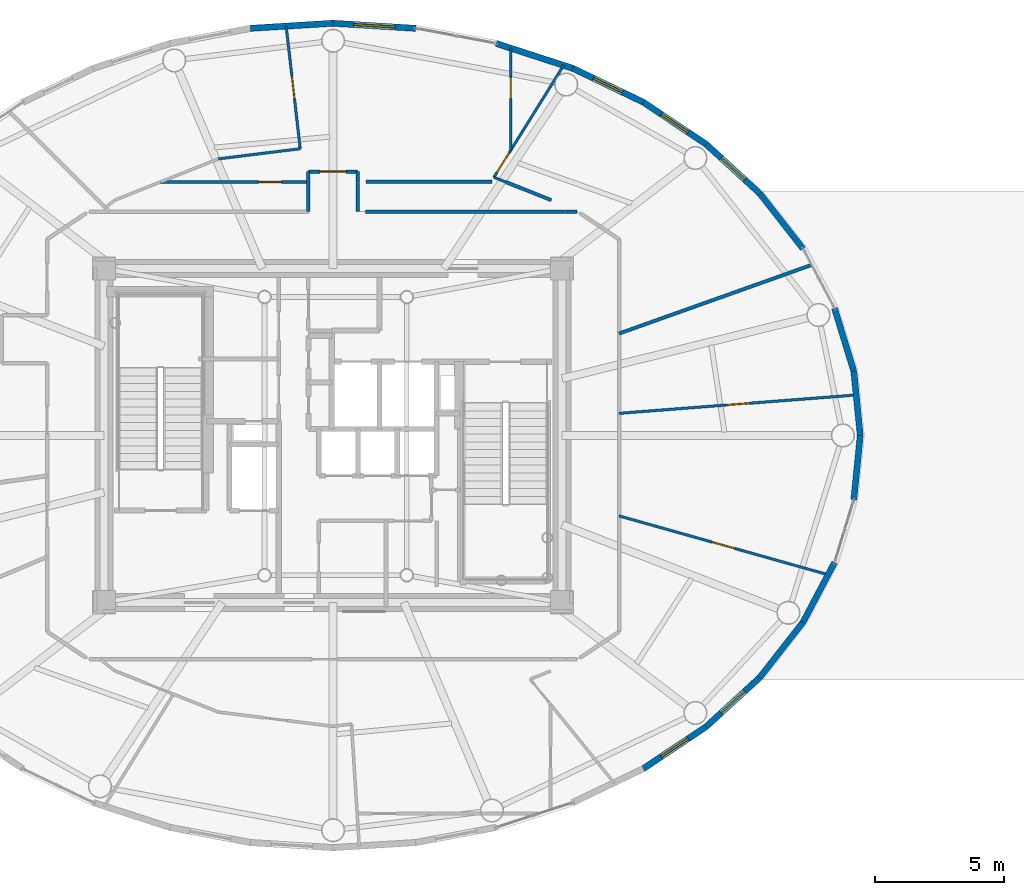
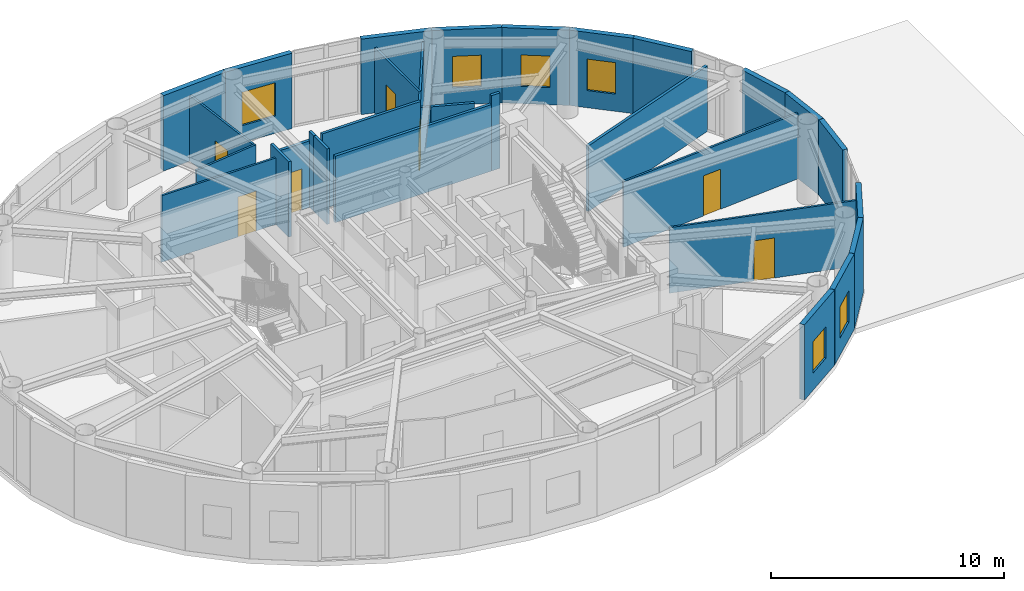
# One storey, part 17 of 24: 31 walls, 7 doors, 6 windows, 13 openings.
"""IFC4 building model written with IfcOpenShell, lengths in metres."""

import ifcopenshell
import ifcopenshell.guid

model = None  # the IFC model being written
_history = None  # IfcOwnerHistory: only IFC2X3 demands one
_inside = {}  # id of a spatial element -> (the spatial element, [elements in it])
_under = {}  # id of a project, library or spatial element -> (it, [spatial elements below it])
_declared = {}  # id of a project -> (the project, [libraries it declares])
_typed = {}  # id of a type object -> (the type object, [elements of that type])
_made_of = {}  # id of a material, layer set ... -> (it, [elements and type objects made of it])


def new_model(schema):
    """Start an empty IFC model of exactly this schema.

    Asked for "IFC4X3", IfcOpenShell would pick the latest addendum, in which some entities
    have other attributes; the version numbers below select the first issue.
    IFC2X3 requires an IfcOwnerHistory on every rooted entity: one is made here for all.
    """
    global model, _history
    if schema == "IFC4X3":
        model = ifcopenshell.file(schema_version=(4, 3, 0, 0))
    else:
        model = ifcopenshell.file(schema=schema)
    _inside.clear()
    _under.clear()
    _declared.clear()
    _typed.clear()
    _made_of.clear()
    _history = None
    if model.schema == "IFC2X3":
        org = make("IfcOrganization", Name="unknown")
        user = make(
            "IfcPersonAndOrganization",
            ThePerson=make("IfcPerson", FamilyName="unknown"),
            TheOrganization=org,
        )
        app = make(
            "IfcApplication",
            ApplicationDeveloper=org,
            Version="unknown",
            ApplicationFullName="unknown",
            ApplicationIdentifier="unknown",
        )
        _history = make(
            "IfcOwnerHistory",
            OwningUser=user,
            OwningApplication=app,
            ChangeAction="ADDED",
            CreationDate=0,
        )
    return model


def make(cls, **values):
    """One entity of the class cls with the attributes given. An attribute that is None is left unset."""
    return model.create_entity(
        cls, **{name: value for name, value in values.items() if value is not None}
    )


def rooted(cls, **values):
    """An entity with a GlobalId (a new one), such as an element, a storey or a relation."""
    return make(cls, GlobalId=ifcopenshell.guid.new(), OwnerHistory=_history, **values)


def si_unit(unit_type, name, prefix=None):
    """IfcSIUnit, for example si_unit("LENGTHUNIT", "METRE", prefix="MILLI")."""
    return make("IfcSIUnit", UnitType=unit_type, Prefix=prefix, Name=name)


def assignment(units):
    """IfcUnitAssignment: the units of a project."""
    return None if units is None else make("IfcUnitAssignment", Units=units)


def point(xyz):
    """IfcCartesianPoint."""
    return None if xyz is None else make("IfcCartesianPoint", Coordinates=xyz)


def direction(xyz):
    """IfcDirection."""
    return None if xyz is None else make("IfcDirection", DirectionRatios=xyz)


def frame(location, z_axis=None, x_axis=None):
    """IfcAxis2Placement3D, a coordinate frame: its origin and axes. An axis left out is left unset."""
    return make(
        "IfcAxis2Placement3D",
        Location=point(location),
        Axis=direction(z_axis),
        RefDirection=direction(x_axis),
    )


def frame_2d(location, x_axis=None):
    """IfcAxis2Placement2D, a coordinate frame in the plane: its origin and x axis."""
    return make(
        "IfcAxis2Placement2D", Location=point(location), RefDirection=direction(x_axis)
    )


def origin():
    """The frame at (0, 0, 0) with its axes left unset."""
    return frame((0.0, 0.0, 0.0))


def origin_2d():
    """The frame at (0, 0) in the plane with its x axis left unset."""
    return frame_2d((0.0, 0.0))


def place(relative_to, where):
    """IfcLocalPlacement: puts the frame where relative to a parent placement (None: the world)."""
    return make(
        "IfcLocalPlacement", PlacementRelTo=relative_to, RelativePlacement=where
    )


def context(
    kind, dimensions, precision=None, world=None, true_north=None, identifier=None
):
    """IfcGeometricRepresentationContext, for example the 3D "Model" context."""
    return make(
        "IfcGeometricRepresentationContext",
        ContextIdentifier=identifier,
        ContextType=kind,
        CoordinateSpaceDimension=dimensions,
        Precision=precision,
        WorldCoordinateSystem=world,
        TrueNorth=true_north,
    )


def subcontext(parent, identifier, kind, view, scale=None):
    """IfcGeometricRepresentationSubContext, for example "Body" below "Model"."""
    return make(
        "IfcGeometricRepresentationSubContext",
        ContextIdentifier=identifier,
        ContextType=kind,
        ParentContext=parent,
        TargetScale=scale,
        TargetView=view,
    )


def project(units=None, contexts=None):
    """IfcProject with its units and contexts."""
    return rooted(
        "IfcProject",
        Name="project",
        RepresentationContexts=contexts,
        UnitsInContext=assignment(units),
    )


def spatial(cls, under=None, at=None, **own):
    """A site, building, storey or space (cls), placed at a placement, below another one or the project."""
    s = rooted(cls, ObjectPlacement=at, **own)
    if under is not None:
        _under.setdefault(under.id(), (under, []))[1].append(s)
    return s


def profile(cls, at=None, kind="AREA", **sizes):
    """A parametric profile (cls). Its sizes go by their IFC names, for example OverallWidth=200.0."""
    return make(cls, ProfileType=kind, Position=at, **sizes)


def rectangle(**sizes):
    """IfcRectangleProfileDef."""
    return profile("IfcRectangleProfileDef", **sizes)


def extrude(swept, where, along, depth):
    """IfcExtrudedAreaSolid: the profile swept, set in the frame where, extruded along a direction by depth."""
    return make(
        "IfcExtrudedAreaSolid",
        SweptArea=swept,
        Position=where,
        ExtrudedDirection=direction(along),
        Depth=depth,
    )


def shape(context_of_items, identifier, shape_type, items):
    """IfcShapeRepresentation: the items that make up one representation, for example the "Body"."""
    return make(
        "IfcShapeRepresentation",
        ContextOfItems=context_of_items,
        RepresentationIdentifier=identifier,
        RepresentationType=shape_type,
        Items=items,
    )


def source(mapping_origin, context_of_items, identifier, shape_type, items):
    """IfcRepresentationMap: a shape defined once, which mapped items show again and again."""
    return make(
        "IfcRepresentationMap",
        MappingOrigin=mapping_origin,
        MappedRepresentation=shape(context_of_items, identifier, shape_type, items),
    )


def transform(
    local_origin,
    x_axis=None,
    y_axis=None,
    z_axis=None,
    scale=None,
    scale2=None,
    scale3=None,
    uniform=True,
):
    """IfcCartesianTransformationOperator3D, or its non-uniform kind. x_axis, y_axis, z_axis: its Axis1, 2, 3."""
    if uniform:
        return make(
            "IfcCartesianTransformationOperator3D",
            Axis1=direction(x_axis),
            Axis2=direction(y_axis),
            LocalOrigin=point(local_origin),
            Scale=scale,
            Axis3=direction(z_axis),
        )
    return make(
        "IfcCartesianTransformationOperator3DnonUniform",
        Axis1=direction(x_axis),
        Axis2=direction(y_axis),
        LocalOrigin=point(local_origin),
        Scale=scale,
        Axis3=direction(z_axis),
        Scale2=scale2,
        Scale3=scale3,
    )


def mapped(mapping_source, mapping_target):
    """IfcMappedItem: shows the shape of a source again, moved by a transform."""
    return make(
        "IfcMappedItem", MappingSource=mapping_source, MappingTarget=mapping_target
    )


def material(Name=None, Category=None):
    """IfcMaterial."""
    return make("IfcMaterial", Name=Name, Category=Category)


def layer(
    of_material, thickness, ventilated=None, Name=None, Category=None, Priority=None
):
    """IfcMaterialLayer: one layer of a wall or slab, of a material (None: an air gap)."""
    return make(
        "IfcMaterialLayer",
        Material=of_material,
        LayerThickness=thickness,
        IsVentilated=ventilated,
        Name=Name,
        Category=Category,
        Priority=Priority,
    )


def layer_set(layers, Name=None):
    """IfcMaterialLayerSet."""
    return make("IfcMaterialLayerSet", MaterialLayers=layers, LayerSetName=Name)


def made_of(thing, what):
    """Note that an element or type object is made of a material, layer set ...; save() writes the relation."""
    if what is not None:
        _made_of.setdefault(what.id(), (what, []))[1].append(thing)
    return thing


def type_object(cls, material=None, **own):
    """A type object (cls), such as IfcWallType, which elements share."""
    return made_of(rooted(cls, **own), material)


def element(
    cls,
    number,
    at=None,
    inside=None,
    cuts=None,
    type_object=None,
    material=None,
    context=None,
    identifier="Body",
    shape_type=None,
    held_by="IfcProductDefinitionShape",
    body=None,
    shapes=None,
    **own,
):
    """One element of the class cls, such as IfcWall. Its Tag is "e" and its number.

    at: its placement. inside: the storey or other place that contains it. cuts: it is an
    opening in that element (IfcRelVoidsElement). A single representation is given by context,
    identifier, shape_type and body (its items); several are given by shapes. held_by: the class
    of the entity that holds the representations. save() writes the other relations.
    """
    e = rooted(cls, Tag="e%d" % number, ObjectPlacement=at, **own)
    if body is not None:
        shapes = [shape(context, identifier, shape_type, body)]
    if shapes is not None:
        e.Representation = make(held_by, Representations=shapes)
    if inside is not None:
        _inside.setdefault(inside.id(), (inside, []))[1].append(e)
    if cuts is not None:
        rooted(
            "IfcRelVoidsElement", RelatingBuildingElement=cuts, RelatedOpeningElement=e
        )
    if type_object is not None:
        _typed.setdefault(type_object.id(), (type_object, []))[1].append(e)
    return made_of(e, material)


def fill(opening, filler):
    """IfcRelFillsElement: the door or window that sits in an opening."""
    return rooted(
        "IfcRelFillsElement",
        RelatingOpeningElement=opening,
        RelatedBuildingElement=filler,
    )


def aggregate(whole, parts):
    """IfcRelAggregates: a whole, such as a stair, and the parts it consists of."""
    return rooted("IfcRelAggregates", RelatingObject=whole, RelatedObjects=parts)


def save(model, path):
    """Write the relations noted so far, then the file.

    IfcRelAggregates (storeys below a building ...), IfcRelContainedInSpatialStructure (elements
    in a storey), IfcRelDefinesByType, IfcRelAssociatesMaterial and IfcRelDeclares: one each for
    every whole, place, type object, material and project.
    """
    for whole, parts in _under.values():
        aggregate(whole, parts)
    for where, things in _inside.values():
        rooted(
            "IfcRelContainedInSpatialStructure",
            RelatedElements=things,
            RelatingStructure=where,
        )
    for kind, things in _typed.values():
        rooted("IfcRelDefinesByType", RelatedObjects=things, RelatingType=kind)
    for what, things in _made_of.values():
        rooted("IfcRelAssociatesMaterial", RelatedObjects=things, RelatingMaterial=what)
    for by, libraries in _declared.values():
        rooted("IfcRelDeclares", RelatingContext=by, RelatedDefinitions=libraries)
    model.write(path)


model = new_model("IFC4")

# Units and contexts
model_context = context("Model", 3, precision=1e-05, world=origin(), true_north=direction((0.0, 1.0)))
body_context = subcontext(model_context, "Body", "Model", "MODEL_VIEW")
ifc_project = project(units=[si_unit("LENGTHUNIT", "METRE"), si_unit("AREAUNIT", "SQUARE_METRE"), si_unit("VOLUMEUNIT", "CUBIC_METRE"), si_unit("PLANEANGLEUNIT", "RADIAN"), si_unit("MASSUNIT", "GRAM", prefix="KILO")], contexts=[model_context])

# Site, building, storey
site_placement = place(None, origin())
site = spatial("IfcSite", under=ifc_project, at=site_placement, CompositionType="ELEMENT")
building_placement = place(site_placement, origin())
building = spatial("IfcBuilding", under=site, at=building_placement, Name="Linh Dai School and Residence Tower", CompositionType="ELEMENT")
storey_placement = place(building_placement, frame((0.0, 0.0, 355.199951171875)))
storey = spatial("IfcBuildingStorey", under=building, at=storey_placement, Name="L88", CompositionType="ELEMENT", Elevation=355.199951171875)

# Walls
ifc_material_1 = material(Name="Precast Concrete B45 (C35/45)", Category="concrete")
ifc_layer_1 = layer(ifc_material_1, 0.239990234375)
ifc_layer_set_1 = layer_set([ifc_layer_1], Name="Precast Concrete B45 (C35/45)")
wall_type_1 = type_object("IfcWallType", Name="EW-TC-240", PredefinedType="SOLIDWALL", material=ifc_layer_set_1)
wall_1_placement = place(storey_placement, frame((56.125, 29.48681640625, 0.0), z_axis=(0.0, 0.0, 1.0), x_axis=(0.100025963401, -0.994984827344, 0.0)))
element("IfcWall", 1, at=wall_1_placement, inside=storey, type_object=wall_type_1, Name="L88 Terracotta Exterior Wall 01", PredefinedType="SOLIDWALL", context=body_context, shape_type="SweptSolid", body=[
    extrude(rectangle(XDim=2.499267578125, YDim=0.239990234375, at=frame_2d((1.24951171875, 0.0))), origin(), (0.0, 0.0, 1.0), 3.949951171875),
])
wall_2_placement = place(storey_placement, frame((55.381103515625, 31.913330078125, 0.0), z_axis=(0.0, 0.0, 1.0), x_axis=(0.293105547213, -0.956080089842, 0.0)))
element("IfcWall", 2, at=wall_2_placement, inside=storey, type_object=wall_type_1, Name="L88 Terracotta Exterior Wall 02", PredefinedType="SOLIDWALL", context=body_context, shape_type="SweptSolid", body=[
    extrude(rectangle(XDim=2.5380859375, YDim=0.239990234375, at=frame_2d((1.26904296875, 0.0))), origin(), (0.0, 0.0, 1.0), 3.949951171875),
])
wall_3_placement = place(storey_placement, frame((52.4931640625, 36.351806640625, 0.0), z_axis=(0.0, 0.0, 1.0), x_axis=(0.616286367698, -0.78752213492, 0.0)))
element("IfcWall", 3, at=wall_3_placement, inside=storey, type_object=wall_type_1, Name="L88 Terracotta Exterior Wall 04", PredefinedType="SOLIDWALL", context=body_context, shape_type="SweptSolid", body=[
    extrude(rectangle(XDim=2.7060546875, YDim=0.239990234375, at=frame_2d((1.35302734375, 0.0))), origin(), (0.0, 0.0, 1.0), 3.949951171875),
])

# Wall, opening, window
wall_4_placement = place(storey_placement, frame((50.418701171875, 38.254150390625, 0.0), z_axis=(0.0, 0.0, 1.0), x_axis=(0.737020907932, -0.675869944051, 0.0)))
wall_4 = element("IfcWall", 4, at=wall_4_placement, inside=storey, type_object=wall_type_1, Name="L88 Terracotta Exterior Wall 05", PredefinedType="SOLIDWALL", context=body_context, shape_type="SweptSolid", body=[
    extrude(rectangle(XDim=2.814697265625, YDim=0.239990234375, at=frame_2d((1.4072265625, 0.0))), origin(), (0.0, 0.0, 1.0), 3.949951171875),
])
opening_1_placement = place(wall_4_placement, frame((0.781982421875, 0.0, 0.89990234375)))
opening_1 = element("IfcOpeningElement", 5, at=opening_1_placement, cuts=wall_4, Name="Opening W3", PredefinedType="OPENING", context=body_context, shape_type="SweptSolid", body=[
    extrude(rectangle(XDim=1.25, YDim=1.64990234375, at=origin_2d()), frame((0.625, 0.1298828125, 0.824951171875), z_axis=(0.0, -1.0, 0.0), x_axis=(1.0, 0.0, 0.0)), (0.0, 0.0, 1.0), 0.260009765625),
])
ifc_material_2 = material(Name="Double Low-E Insulated Glazing", Category="glass")
window_type_1 = type_object("IfcWindowType", Name="WN-RES-1250x1650", PartitioningType="SINGLE_PANEL", PredefinedType="WINDOW", material=ifc_material_2)
shared_shape_1 = source(origin(), body_context, "Body", "SweptSolid", [
    extrude(rectangle(XDim=1.25, YDim=1.64990234375, at=origin_2d()), frame((0.625, 0.030029296875, 0.824951171875), z_axis=(0.0, -1.0, 0.0), x_axis=(1.0, 0.0, 0.0)), (0.0, 0.0, 1.0), 0.06005859375),
])
window_1_placement = place(opening_1_placement, origin())
window_1 = element("IfcWindow", 6, at=window_1_placement, inside=storey, type_object=window_type_1, Name="L88 Exterior Window 05.1", OverallHeight=1.64990234375, OverallWidth=1.25, PartitioningType="SINGLE_PANEL", PredefinedType="WINDOW", context=body_context, shape_type="MappedRepresentation", body=[
    mapped(shared_shape_1, transform((0.0, 0.0, 0.0), x_axis=(1.0, 0.0, 0.0), y_axis=(0.0, 1.0, 0.0), z_axis=(0.0, 0.0, 1.0), scale=1.0)),
])
fill(opening_1, window_1)

wall_5_placement = place(storey_placement, frame((47.98779296875, 39.880126953125, 0.0), z_axis=(0.0, 0.0, 1.0), x_axis=(0.831201688654, -0.555970999944, 0.0)))
wall_5 = element("IfcWall", 7, at=wall_5_placement, inside=storey, type_object=wall_type_1, Name="L88 Terracotta Exterior Wall 06", PredefinedType="SOLIDWALL", context=body_context, shape_type="SweptSolid", body=[
    extrude(rectangle(XDim=2.924560546875, YDim=0.239990234375, at=frame_2d((1.46240234375, 0.0))), origin(), (0.0, 0.0, 1.0), 3.949951171875),
])
opening_2_placement = place(wall_5_placement, frame((0.837158203125, 0.0, 0.89990234375)))
opening_2 = element("IfcOpeningElement", 8, at=opening_2_placement, cuts=wall_5, Name="Opening W3", PredefinedType="OPENING", context=body_context, shape_type="SweptSolid", body=[
    extrude(rectangle(XDim=1.25, YDim=1.64990234375, at=origin_2d()), frame((0.625, 0.1298828125, 0.824951171875), z_axis=(0.0, -1.0, 0.0), x_axis=(1.0, 0.0, 0.0)), (0.0, 0.0, 1.0), 0.260009765625),
])
window_2_placement = place(opening_2_placement, origin())
window_2 = element("IfcWindow", 9, at=window_2_placement, inside=storey, type_object=window_type_1, Name="L88 Exterior Window 06.1", OverallHeight=1.64990234375, OverallWidth=1.25, PartitioningType="SINGLE_PANEL", PredefinedType="WINDOW", context=body_context, shape_type="MappedRepresentation", body=[
    mapped(shared_shape_1, transform((0.0, 0.0, 0.0), x_axis=(1.0, 0.0, 0.0), y_axis=(0.0, 1.0, 0.0), z_axis=(0.0, 0.0, 1.0), scale=1.0)),
])
fill(opening_2, window_2)

wall_6_placement = place(storey_placement, frame((45.260498046875, 41.18896484375, 0.0), z_axis=(0.0, 0.0, 1.0), x_axis=(0.901557057889, -0.432660226241, 0.0)))
wall_6 = element("IfcWall", 10, at=wall_6_placement, inside=storey, type_object=wall_type_1, Name="L88 Terracotta Exterior Wall 07", PredefinedType="SOLIDWALL", context=body_context, shape_type="SweptSolid", body=[
    extrude(rectangle(XDim=3.025146484375, YDim=0.239990234375, at=frame_2d((1.5126953125, 0.0))), origin(), (0.0, 0.0, 1.0), 3.949951171875),
])
opening_3_placement = place(wall_6_placement, frame((0.887451171875, 0.0, 0.89990234375)))
opening_3 = element("IfcOpeningElement", 11, at=opening_3_placement, cuts=wall_6, Name="Opening W3", PredefinedType="OPENING", context=body_context, shape_type="SweptSolid", body=[
    extrude(rectangle(XDim=1.25, YDim=1.64990234375, at=origin_2d()), frame((0.625, 0.1298828125, 0.824951171875), z_axis=(0.0, -1.0, 0.0), x_axis=(1.0, 0.0, 0.0)), (0.0, 0.0, 1.0), 0.260009765625),
])
window_3_placement = place(opening_3_placement, origin())
window_3 = element("IfcWindow", 12, at=window_3_placement, inside=storey, type_object=window_type_1, Name="L88 Exterior Window 07.1", OverallHeight=1.64990234375, OverallWidth=1.25, PartitioningType="SINGLE_PANEL", PredefinedType="WINDOW", context=body_context, shape_type="MappedRepresentation", body=[
    mapped(shared_shape_1, transform((0.0, 0.0, 0.0), x_axis=(1.0, 0.0, 0.0), y_axis=(0.0, 1.0, 0.0), z_axis=(0.0, 0.0, 1.0), scale=1.0)),
])
fill(opening_3, window_3)

# Wall
wall_7_placement = place(storey_placement, frame((42.303955078125, 42.14794921875, 0.0), z_axis=(0.0, 0.0, 1.0), x_axis=(0.951212850731, -0.308535431682, 0.0)))
element("IfcWall", 13, at=wall_7_placement, inside=storey, type_object=wall_type_1, Name="L88 Terracotta Exterior Wall 08", PredefinedType="SOLIDWALL", context=body_context, shape_type="SweptSolid", body=[
    extrude(rectangle(XDim=3.108154296875, YDim=0.239990234375, at=frame_2d((1.55419921875, 0.0))), origin(), (0.0, 0.0, 1.0), 3.949951171875),
])

# Wall, opening, window
wall_8_placement = place(storey_placement, frame((36.0, 42.929931640625, 0.0), z_axis=(0.0, 0.0, 1.0), x_axis=(0.998109204399, -0.061465568355, 0.0)))
wall_8 = element("IfcWall", 14, at=wall_8_placement, inside=storey, type_object=wall_type_1, Name="L88 Terracotta Exterior Wall 10", PredefinedType="SOLIDWALL", context=body_context, shape_type="SweptSolid", body=[
    extrude(rectangle(XDim=3.197509765625, YDim=0.239990234375, at=frame_2d((1.5986328125, 0.0))), origin(), (0.0, 0.0, 1.0), 3.949951171875),
])
opening_4_placement = place(wall_8_placement, frame((0.798828125, 0.0, 0.89990234375)))
opening_4 = element("IfcOpeningElement", 15, at=opening_4_placement, cuts=wall_8, Name="Opening W2", PredefinedType="OPENING", context=body_context, shape_type="SweptSolid", body=[
    extrude(rectangle(XDim=1.60009765625, YDim=1.75, at=origin_2d()), frame((0.800048828125, 0.1298828125, 0.875), z_axis=(0.0, -1.0, 0.0), x_axis=(1.0, 0.0, 0.0)), (0.0, 0.0, 1.0), 0.260009765625),
])
window_type_2 = type_object("IfcWindowType", Name="WN-RES-1600x1750", PartitioningType="DOUBLE_PANEL_VERTICAL", PredefinedType="WINDOW", material=ifc_material_2)
shared_shape_2 = source(origin(), body_context, "Body", "SweptSolid", [
    extrude(rectangle(XDim=1.60009765625, YDim=1.75, at=origin_2d()), frame((0.800048828125, 0.030029296875, 0.875), z_axis=(0.0, -1.0, 0.0), x_axis=(1.0, 0.0, 0.0)), (0.0, 0.0, 1.0), 0.06005859375),
])
window_4_placement = place(opening_4_placement, origin())
window_4 = element("IfcWindow", 16, at=window_4_placement, inside=storey, type_object=window_type_2, Name="L88 Exterior Window 10.1", OverallHeight=1.75, OverallWidth=1.60009765625, PartitioningType="DOUBLE_PANEL_VERTICAL", PredefinedType="WINDOW", context=body_context, shape_type="MappedRepresentation", body=[
    mapped(shared_shape_2, transform((0.0, 0.0, 0.0), x_axis=(1.0, 0.0, 0.0), y_axis=(0.0, 1.0, 0.0), z_axis=(0.0, 0.0, 1.0), scale=1.0)),
])
fill(opening_4, window_4)

# Wall
wall_9_placement = place(storey_placement, frame((32.80859375, 42.7333984375, 0.0), z_axis=(0.0, 0.0, 1.0), x_axis=(0.998109204399, 0.061465568355, 0.0)))
element("IfcWall", 17, at=wall_9_placement, inside=storey, type_object=wall_type_1, Name="L88 Terracotta Exterior Wall 11", PredefinedType="SOLIDWALL", context=body_context, shape_type="SweptSolid", body=[
    extrude(rectangle(XDim=3.197509765625, YDim=0.239990234375, at=frame_2d((1.5986328125, 0.0))), origin(), (0.0, 0.0, 1.0), 3.949951171875),
])

# Wall, opening, window
wall_10_placement = place(storey_placement, frame((50.418701171875, 15.745849609375, 0.0), z_axis=(0.0, 0.0, 1.0), x_axis=(-0.831201688654, -0.555970999944, 0.0)))
wall_10 = element("IfcWall", 18, at=wall_10_placement, inside=storey, type_object=wall_type_1, Name="L88 Terracotta Exterior Wall 35", PredefinedType="SOLIDWALL", context=body_context, shape_type="SweptSolid", body=[
    extrude(rectangle(XDim=2.924560546875, YDim=0.239990234375, at=frame_2d((1.46240234375, 0.0))), origin(), (0.0, 0.0, 1.0), 3.949951171875),
])
opening_5_placement = place(wall_10_placement, frame((0.83740234375, 0.0, 0.89990234375)))
opening_5 = element("IfcOpeningElement", 19, at=opening_5_placement, cuts=wall_10, Name="Opening W3", PredefinedType="OPENING", context=body_context, shape_type="SweptSolid", body=[
    extrude(rectangle(XDim=1.25, YDim=1.64990234375, at=origin_2d()), frame((0.625, 0.1298828125, 0.824951171875), z_axis=(0.0, -1.0, 0.0), x_axis=(1.0, 0.0, 0.0)), (0.0, 0.0, 1.0), 0.260009765625),
])
window_5_placement = place(opening_5_placement, origin())
window_5 = element("IfcWindow", 20, at=window_5_placement, inside=storey, type_object=window_type_1, Name="L88 Exterior Window 35.1", OverallHeight=1.64990234375, OverallWidth=1.25, PartitioningType="SINGLE_PANEL", PredefinedType="WINDOW", context=body_context, shape_type="MappedRepresentation", body=[
    mapped(shared_shape_1, transform((0.0, 0.0, 0.0), x_axis=(1.0, 0.0, 0.0), y_axis=(0.0, 1.0, 0.0), z_axis=(0.0, 0.0, 1.0), scale=1.0)),
])
fill(opening_5, window_5)

wall_11_placement = place(storey_placement, frame((52.4931640625, 17.648193359375, 0.0), z_axis=(0.0, 0.0, 1.0), x_axis=(-0.737020907932, -0.675869944051, 0.0)))
wall_11 = element("IfcWall", 21, at=wall_11_placement, inside=storey, type_object=wall_type_1, Name="L88 Terracotta Exterior Wall 36", PredefinedType="SOLIDWALL", context=body_context, shape_type="SweptSolid", body=[
    extrude(rectangle(XDim=2.814697265625, YDim=0.239990234375, at=frame_2d((1.4072265625, 0.0))), origin(), (0.0, 0.0, 1.0), 3.949951171875),
])
opening_6_placement = place(wall_11_placement, frame((0.78271484375, 0.0, 0.89990234375)))
opening_6 = element("IfcOpeningElement", 22, at=opening_6_placement, cuts=wall_11, Name="Opening W3", PredefinedType="OPENING", context=body_context, shape_type="SweptSolid", body=[
    extrude(rectangle(XDim=1.25, YDim=1.64990234375, at=origin_2d()), frame((0.625, 0.1298828125, 0.824951171875), z_axis=(0.0, -1.0, 0.0), x_axis=(1.0, 0.0, 0.0)), (0.0, 0.0, 1.0), 0.260009765625),
])
window_6_placement = place(opening_6_placement, origin())
window_6 = element("IfcWindow", 23, at=window_6_placement, inside=storey, type_object=window_type_1, Name="L88 Exterior Window 36.1", OverallHeight=1.64990234375, OverallWidth=1.25, PartitioningType="SINGLE_PANEL", PredefinedType="WINDOW", context=body_context, shape_type="MappedRepresentation", body=[
    mapped(shared_shape_1, transform((0.0, 0.0, 0.0), x_axis=(1.0, 0.0, 0.0), y_axis=(0.0, 1.0, 0.0), z_axis=(0.0, 0.0, 1.0), scale=1.0)),
])
fill(opening_6, window_6)

# Walls
wall_12_placement = place(storey_placement, frame((54.160888671875, 19.779296875, 0.0), z_axis=(0.0, 0.0, 1.0), x_axis=(-0.616286367698, -0.78752213492, 0.0)))
element("IfcWall", 24, at=wall_12_placement, inside=storey, type_object=wall_type_1, Name="L88 Terracotta Exterior Wall 37", PredefinedType="SOLIDWALL", context=body_context, shape_type="SweptSolid", body=[
    extrude(rectangle(XDim=2.7060546875, YDim=0.239990234375, at=frame_2d((1.35302734375, 0.0))), origin(), (0.0, 0.0, 1.0), 3.949951171875),
])
wall_13_placement = place(storey_placement, frame((55.381103515625, 22.086669921875, 0.0), z_axis=(0.0, 0.0, 1.0), x_axis=(-0.467487999989, -0.883999417345, 0.0)))
element("IfcWall", 25, at=wall_13_placement, inside=storey, type_object=wall_type_1, Name="L88 Terracotta Exterior Wall 38", PredefinedType="SOLIDWALL", context=body_context, shape_type="SweptSolid", body=[
    extrude(rectangle(XDim=2.610107421875, YDim=0.239990234375, at=frame_2d((1.30517578125, 0.0))), origin(), (0.0, 0.0, 1.0), 3.949951171875),
])
wall_14_placement = place(storey_placement, frame((56.375, 27.0, 0.0), z_axis=(0.0, 0.0, 1.0), x_axis=(-0.100025963401, -0.994984827344, 0.0)))
element("IfcWall", 26, at=wall_14_placement, inside=storey, type_object=wall_type_1, Name="L88 Terracotta Exterior Wall 40", PredefinedType="SOLIDWALL", context=body_context, shape_type="SweptSolid", body=[
    extrude(rectangle(XDim=2.499267578125, YDim=0.239990234375, at=frame_2d((1.24951171875, 0.0))), origin(), (0.0, 0.0, 1.0), 3.949951171875),
])
ifc_material_3 = material(Name="Autoclaved Aerated Concrete Blockwork", Category="masonry")
ifc_layer_2 = layer(ifc_material_3, 0.135009765625)
ifc_layer_set_2 = layer_set([ifc_layer_2], Name="Autoclaved Aerated Concrete Blockwork")
wall_type_2 = type_object("IfcWallType", Name="IW-CORR-135-EI90", PredefinedType="PARTITIONING", material=ifc_layer_set_2)
wall_15_placement = place(storey_placement, frame((35.050048828125, 35.64990234375, 0.0), z_axis=(0.0, 0.0, 1.0), x_axis=(0.0, 1.0, 0.0)))
element("IfcWall", 27, at=wall_15_placement, inside=storey, type_object=wall_type_2, Name="L88 Interior Partition Wall 041", PredefinedType="PARTITIONING", context=body_context, shape_type="SweptSolid", body=[
    extrude(rectangle(XDim=1.550048828125, YDim=0.135009765625, at=frame_2d((0.77490234375, 0.0))), origin(), (0.0, 0.0, 1.0), 3.949951171875),
])

# Wall, opening, door
wall_16_placement = place(storey_placement, frame((35.050048828125, 37.199951171875, 0.0), z_axis=(0.0, 0.0, 1.0), x_axis=(1.0, 0.0, 0.0)))
wall_16 = element("IfcWall", 28, at=wall_16_placement, inside=storey, type_object=wall_type_2, Name="L88 Interior Partition Wall 042", PredefinedType="PARTITIONING", context=body_context, shape_type="SweptSolid", body=[
    extrude(rectangle(XDim=1.89990234375, YDim=0.135009765625, at=frame_2d((0.949951171875, 0.0))), origin(), (0.0, 0.0, 1.0), 3.485107421875),
])
opening_7_placement = place(wall_16_placement, frame((0.449951171875, 0.0, 0.0)))
opening_7 = element("IfcOpeningElement", 29, at=opening_7_placement, cuts=wall_16, Name="Opening D03", PredefinedType="OPENING", context=body_context, shape_type="SweptSolid", body=[
    extrude(rectangle(XDim=1.0, YDim=2.14990234375, at=origin_2d()), frame((0.5, 0.07763671875, 1.074951171875), z_axis=(0.0, -1.0, 0.0), x_axis=(1.0, 0.0, 0.0)), (0.0, 0.0, 1.0), 0.155029296875),
])
ifc_material_4 = material(Name="Fire-Rated Solid Timber Entrance Door", Category="wood")
door_type_1 = type_object("IfcDoorType", Name="DR-FLAT-1000x2150-FD60S", OperationType="NOTDEFINED", PredefinedType="DOOR", material=ifc_material_4)
shared_shape_3 = source(origin(), body_context, "Body", "SweptSolid", [
    extrude(rectangle(XDim=1.0, YDim=2.14990234375, at=origin_2d()), frame((0.5, 0.02490234375, 1.074951171875), z_axis=(0.0, -1.0, 0.0), x_axis=(1.0, 0.0, 0.0)), (0.0, 0.0, 1.0), 0.050048828125),
])
door_1_placement = place(opening_7_placement, origin())
door_1 = element("IfcDoor", 30, at=door_1_placement, inside=storey, type_object=door_type_1, Name="L88 U8802 Apartment Entrance Door", OperationType="SINGLE_SWING_RIGHT", OverallHeight=2.14990234375, OverallWidth=1.0, PredefinedType="DOOR", context=body_context, shape_type="MappedRepresentation", body=[
    mapped(shared_shape_3, transform((0.0, 0.0, 0.0), x_axis=(1.0, 0.0, 0.0), y_axis=(0.0, 1.0, 0.0), z_axis=(0.0, 0.0, 1.0), scale=1.0)),
])
fill(opening_7, door_1)

# Walls
wall_17_placement = place(storey_placement, frame((36.949951171875, 36.794921875, 0.0), z_axis=(0.0, 0.0, 1.0), x_axis=(0.0, 1.0, 0.0)))
element("IfcWall", 31, at=wall_17_placement, inside=storey, type_object=wall_type_2, Name="L88 Interior Partition Wall 053", PredefinedType="PARTITIONING", context=body_context, shape_type="SweptSolid", body=[
    extrude(rectangle(XDim=0.405029296875, YDim=0.135009765625, at=frame_2d((0.20263671875, 0.0))), origin(), (0.0, 0.0, 1.0), 3.949951171875),
])
wall_18_placement = place(storey_placement, frame((44.999267578125, 35.64990234375, 0.0), z_axis=(0.0, 0.0, 1.0), x_axis=(1.0, 0.0, 0.0)))
element("IfcWall", 32, at=wall_18_placement, inside=storey, type_object=wall_type_2, Name="L88 Interior Partition Wall 072", PredefinedType="PARTITIONING", context=body_context, shape_type="SweptSolid", body=[
    extrude(rectangle(XDim=0.420654296875, YDim=0.135009765625, at=frame_2d((0.21044921875, 0.0))), origin(), (0.0, 0.0, 1.0), 3.949951171875),
])
wall_19_placement = place(storey_placement, frame((47.050048828125, 30.9375, 0.0), z_axis=(0.0, 0.0, 1.0), x_axis=(0.94198404568, 0.335657649524, 0.0)))
element("IfcWall", 33, at=wall_19_placement, inside=storey, type_object=wall_type_2, Name="L88 Interior Partition Wall 078", PredefinedType="PARTITIONING", context=body_context, shape_type="SweptSolid", body=[
    extrude(rectangle(XDim=7.90771484375, YDim=0.135009765625, at=frame_2d((3.953857421875, 0.0))), origin(), (0.0, 0.0, 1.0), 3.43505859375),
])
wall_20_placement = place(storey_placement, frame((36.949951171875, 36.784912109375, 0.0), z_axis=(0.0, 0.0, 1.0), x_axis=(0.0, -1.0, 0.0)))
element("IfcWall", 34, at=wall_20_placement, inside=storey, type_object=wall_type_2, Name="L88 Interior Partition Wall 081", PredefinedType="PARTITIONING", context=body_context, shape_type="SweptSolid", body=[
    extrude(rectangle(XDim=1.135009765625, YDim=0.135009765625, at=frame_2d((0.5673828125, 0.0))), origin(), (0.0, 0.0, 1.0), 3.949951171875),
])
wall_21_placement = place(storey_placement, frame((37.257568359375, 35.64990234375, 0.0), z_axis=(0.0, 0.0, 1.0), x_axis=(1.0, 0.0, 0.0)))
element("IfcWall", 35, at=wall_21_placement, inside=storey, type_object=wall_type_2, Name="L88 Interior Partition Wall 082", PredefinedType="PARTITIONING", context=body_context, shape_type="SweptSolid", body=[
    extrude(rectangle(XDim=7.731689453125, YDim=0.135009765625, at=frame_2d((3.86572265625, 0.0))), origin(), (0.0, 0.0, 1.0), 3.485107421875),
])
wall_22_placement = place(storey_placement, frame((42.142333984375, 36.794921875, 0.0), z_axis=(0.0, 0.0, 1.0), x_axis=(-1.0, 0.0, 0.0)))
element("IfcWall", 36, at=wall_22_placement, inside=storey, type_object=wall_type_2, Name="L88 Interior Partition Wall 092", PredefinedType="PARTITIONING", context=body_context, shape_type="SweptSolid", body=[
    extrude(rectangle(XDim=4.86474609375, YDim=0.135009765625, at=frame_2d((2.432373046875, 0.0))), origin(), (0.0, 0.0, 1.0), 3.949951171875),
])
wall_23_placement = place(storey_placement, frame((44.434814453125, 36.092041015625, 0.0), z_axis=(0.0, 0.0, 1.0), x_axis=(-0.928778774969, 0.370634573627, 0.0)))
element("IfcWall", 37, at=wall_23_placement, inside=storey, type_object=wall_type_2, Name="L88 Interior Partition Wall 093", PredefinedType="PARTITIONING", context=body_context, shape_type="SweptSolid", body=[
    extrude(rectangle(XDim=1.89306640625, YDim=0.135009765625, at=frame_2d((0.946533203125, 0.0))), origin(), (0.0, 0.0, 1.0), 3.485107421875),
])

# Wall, opening, door
ifc_material_5 = material(Name="Gypsum Plasterboard Acoustic Stud Partition", Category="masonry")
ifc_layer_3 = layer(ifc_material_5, 0.10009765625)
ifc_layer_set_3 = layer_set([ifc_layer_3], Name="Gypsum Plasterboard Acoustic Stud Partition")
wall_type_3 = type_object("IfcWallType", Name="IW-UNIT-100", PredefinedType="PARTITIONING", material=ifc_layer_set_3)
wall_24_placement = place(storey_placement, frame((29.333740234375, 36.794921875, 0.0), z_axis=(0.0, 0.0, 1.0), x_axis=(1.0, 0.0, 0.0)))
wall_24 = element("IfcWall", 38, at=wall_24_placement, inside=storey, type_object=wall_type_3, Name="L88 Interior Partition Wall 023", PredefinedType="PARTITIONING", context=body_context, shape_type="SweptSolid", body=[
    extrude(rectangle(XDim=5.71630859375, YDim=0.10009765625, at=frame_2d((2.858154296875, 0.0))), origin(), (0.0, 0.0, 1.0), 3.485107421875),
])
opening_8_placement = place(wall_24_placement, frame((3.781005859375, 0.0, 0.0)))
opening_8 = element("IfcOpeningElement", 39, at=opening_8_placement, cuts=wall_24, Name="Opening D05", PredefinedType="OPENING", context=body_context, shape_type="SweptSolid", body=[
    extrude(rectangle(XDim=0.89990234375, YDim=2.10009765625, at=origin_2d()), frame((0.449951171875, 0.06005859375, 1.050048828125), z_axis=(0.0, -1.0, 0.0), x_axis=(1.0, 0.0, 0.0)), (0.0, 0.0, 1.0), 0.1201171875),
])
ifc_material_6 = material(Name="Engineered Timber Internal Door", Category="wood")
door_type_2 = type_object("IfcDoorType", Name="DR-INT-900x2100", OperationType="NOTDEFINED", PredefinedType="DOOR", material=ifc_material_6)
shared_shape_4 = source(origin(), body_context, "Body", "SweptSolid", [
    extrude(rectangle(XDim=0.89990234375, YDim=2.10009765625, at=origin_2d()), frame((0.449951171875, 0.02490234375, 1.050048828125), z_axis=(0.0, -1.0, 0.0), x_axis=(1.0, 0.0, 0.0)), (0.0, 0.0, 1.0), 0.050048828125),
])
door_2_placement = place(opening_8_placement, origin())
door_2 = element("IfcDoor", 40, at=door_2_placement, inside=storey, type_object=door_type_2, Name="L88 Apartment U8802 Kitchen Door", OperationType="SINGLE_SWING_RIGHT", OverallHeight=2.10009765625, OverallWidth=0.89990234375, PredefinedType="DOOR", context=body_context, shape_type="MappedRepresentation", body=[
    mapped(shared_shape_4, transform((0.0, 0.0, 0.0), x_axis=(1.0, 0.0, 0.0), y_axis=(0.0, 1.0, 0.0), z_axis=(0.0, 0.0, 1.0), scale=1.0)),
])
fill(opening_8, door_2)

# Wall
wall_25_placement = place(storey_placement, frame((31.565673828125, 37.6884765625, 0.0), z_axis=(0.0, 0.0, 1.0), x_axis=(0.992392878514, 0.123111228873, 0.0)))
element("IfcWall", 41, at=wall_25_placement, inside=storey, type_object=wall_type_3, Name="L88 Interior Partition Wall 028", PredefinedType="PARTITIONING", context=body_context, shape_type="SweptSolid", body=[
    extrude(rectangle(XDim=3.188720703125, YDim=0.10009765625, at=frame_2d((1.59423828125, 0.0))), origin(), (0.0, 0.0, 1.0), 3.485107421875),
])

# Wall, opening, door
wall_26_placement = place(storey_placement, frame((34.1865234375, 42.8232421875, 0.0), z_axis=(0.0, 0.0, 1.0), x_axis=(0.113905771164, -0.993491557737, 0.0)))
wall_26 = element("IfcWall", 42, at=wall_26_placement, inside=storey, type_object=wall_type_3, Name="L88 Interior Partition Wall 034", PredefinedType="PARTITIONING", context=body_context, shape_type="SweptSolid", body=[
    extrude(rectangle(XDim=4.773193359375, YDim=0.10009765625, at=frame_2d((2.38671875, 0.0))), origin(), (0.0, 0.0, 1.0), 3.43505859375),
])
opening_9_placement = place(wall_26_placement, frame((1.9365234375, 0.0, 0.0)))
opening_9 = element("IfcOpeningElement", 43, at=opening_9_placement, cuts=wall_26, Name="Opening D05", PredefinedType="OPENING", context=body_context, shape_type="SweptSolid", body=[
    extrude(rectangle(XDim=0.89990234375, YDim=2.10009765625, at=origin_2d()), frame((0.449951171875, 0.06005859375, 1.050048828125), z_axis=(0.0, -1.0, 0.0), x_axis=(1.0, 0.0, 0.0)), (0.0, 0.0, 1.0), 0.1201171875),
])
door_3_placement = place(opening_9_placement, origin())
door_3 = element("IfcDoor", 44, at=door_3_placement, inside=storey, type_object=door_type_2, Name="L88 Apartment U8802 Principal Bedroom 2 Door", OperationType="SINGLE_SWING_RIGHT", OverallHeight=2.10009765625, OverallWidth=0.89990234375, PredefinedType="DOOR", context=body_context, shape_type="MappedRepresentation", body=[
    mapped(shared_shape_4, transform((0.0, 0.0, 0.0), x_axis=(1.0, 0.0, 0.0), y_axis=(0.0, 1.0, 0.0), z_axis=(0.0, 0.0, 1.0), scale=1.0)),
])
fill(opening_9, door_3)

# Wall
wall_27_placement = place(storey_placement, frame((42.21630859375, 36.977294921875, 0.0), z_axis=(0.0, 0.0, 1.0), x_axis=(0.926767657822, -0.375635073463, 0.0)))
element("IfcWall", 45, at=wall_27_placement, inside=storey, type_object=wall_type_3, Name="L88 Interior Partition Wall 065", PredefinedType="PARTITIONING", context=body_context, shape_type="SweptSolid", body=[
    extrude(rectangle(XDim=0.485595703125, YDim=0.10009765625, at=frame_2d((0.24267578125, 0.0))), origin(), (0.0, 0.0, 1.0), 3.485107421875),
])

# Wall, opening, door
wall_28_placement = place(storey_placement, frame((42.21630859375, 36.977294921875, 0.0), z_axis=(0.0, 0.0, 1.0), x_axis=(0.528823937776, 0.848731549334, 0.0)))
wall_28 = element("IfcWall", 46, at=wall_28_placement, inside=storey, type_object=wall_type_3, Name="L88 Interior Partition Wall 066", PredefinedType="PARTITIONING", context=body_context, shape_type="SweptSolid", body=[
    extrude(rectangle(XDim=5.10107421875, YDim=0.10009765625, at=frame_2d((2.550537109375, 0.0))), origin(), (0.0, 0.0, 1.0), 3.43505859375),
])
opening_10_placement = place(wall_28_placement, frame((0.21826171875, 0.0, 0.0)))
opening_10 = element("IfcOpeningElement", 47, at=opening_10_placement, cuts=wall_28, Name="Opening D05", PredefinedType="OPENING", context=body_context, shape_type="SweptSolid", body=[
    extrude(rectangle(XDim=0.89990234375, YDim=2.10009765625, at=origin_2d()), frame((0.449951171875, 0.06005859375, 1.050048828125), z_axis=(0.0, -1.0, 0.0), x_axis=(1.0, 0.0, 0.0)), (0.0, 0.0, 1.0), 0.1201171875),
])
door_4_placement = place(opening_10_placement, origin())
door_4 = element("IfcDoor", 48, at=door_4_placement, inside=storey, type_object=door_type_2, Name="L88 Apartment U8802 Principal Bedroom 1 Door", OperationType="SINGLE_SWING_LEFT", OverallHeight=2.10009765625, OverallWidth=0.89990234375, PredefinedType="DOOR", context=body_context, shape_type="MappedRepresentation", body=[
    mapped(shared_shape_4, transform((0.0, 0.0, 0.0), x_axis=(1.0, 0.0, 0.0), y_axis=(0.0, 1.0, 0.0), z_axis=(0.0, 0.0, 1.0), scale=1.0)),
])
fill(opening_10, door_4)

wall_29_placement = place(storey_placement, frame((42.863037109375, 38.01513671875, 0.0), z_axis=(0.0, 0.0, 1.0), x_axis=(0.0, 1.0, 0.0)))
wall_29 = element("IfcWall", 49, at=wall_29_placement, inside=storey, type_object=wall_type_3, Name="L88 Interior Partition Wall 067", PredefinedType="PARTITIONING", context=body_context, shape_type="SweptSolid", body=[
    extrude(rectangle(XDim=3.956787109375, YDim=0.10009765625, at=frame_2d((1.978515625, 0.0))), origin(), (0.0, 0.0, 1.0), 3.43505859375),
])
opening_11_placement = place(wall_29_placement, frame((2.0029296875, 0.0, 0.0)))
opening_11 = element("IfcOpeningElement", 50, at=opening_11_placement, cuts=wall_29, Name="Opening D06", PredefinedType="OPENING", context=body_context, shape_type="SweptSolid", body=[
    extrude(rectangle(XDim=0.820068359375, YDim=2.10009765625, at=origin_2d()), frame((0.41015625, 0.06005859375, 1.050048828125), z_axis=(0.0, -1.0, 0.0), x_axis=(1.0, 0.0, 0.0)), (0.0, 0.0, 1.0), 0.1201171875),
])
ifc_material_7 = material(Name="Moisture-Resistant Timber Bathroom Door", Category="wood")
door_type_3 = type_object("IfcDoorType", Name="DR-WET-820x2100", OperationType="NOTDEFINED", PredefinedType="DOOR", material=ifc_material_7)
shared_shape_5 = source(origin(), body_context, "Body", "SweptSolid", [
    extrude(rectangle(XDim=0.820068359375, YDim=2.10009765625, at=origin_2d()), frame((0.41015625, 0.02490234375, 1.050048828125), z_axis=(0.0, -1.0, 0.0), x_axis=(1.0, 0.0, 0.0)), (0.0, 0.0, 1.0), 0.050048828125),
])
door_5_placement = place(opening_11_placement, origin())
door_5 = element("IfcDoor", 51, at=door_5_placement, inside=storey, type_object=door_type_3, Name="L88 Apartment U8802 Bathroom 1 Door", OperationType="SINGLE_SWING_LEFT", OverallHeight=2.10009765625, OverallWidth=0.820068359375, PredefinedType="DOOR", context=body_context, shape_type="MappedRepresentation", body=[
    mapped(shared_shape_5, transform((0.0, 0.0, 0.0), x_axis=(1.0, 0.0, 0.0), y_axis=(0.0, 1.0, 0.0), z_axis=(0.0, 0.0, 1.0), scale=1.0)),
])
fill(opening_11, door_5)

wall_30_placement = place(storey_placement, frame((47.050048828125, 23.89208984375, 0.0), z_axis=(0.0, 0.0, 1.0), x_axis=(0.962641946569, -0.27077755207, 0.0)))
wall_30 = element("IfcWall", 52, at=wall_30_placement, inside=storey, type_object=wall_type_3, Name="L88 Interior Partition Wall 076", PredefinedType="PARTITIONING", context=body_context, shape_type="SweptSolid", body=[
    extrude(rectangle(XDim=8.40234375, YDim=0.10009765625, at=frame_2d((4.201171875, 0.0))), origin(), (0.0, 0.0, 1.0), 3.43505859375),
])
opening_12_placement = place(wall_30_placement, frame((3.751220703125, 0.0, 0.0)))
opening_12 = element("IfcOpeningElement", 53, at=opening_12_placement, cuts=wall_30, Name="Opening D05", PredefinedType="OPENING", context=body_context, shape_type="SweptSolid", body=[
    extrude(rectangle(XDim=0.89990234375, YDim=2.10009765625, at=origin_2d()), frame((0.449951171875, 0.06005859375, 1.050048828125), z_axis=(0.0, -1.0, 0.0), x_axis=(1.0, 0.0, 0.0)), (0.0, 0.0, 1.0), 0.1201171875),
])
door_6_placement = place(opening_12_placement, origin())
door_6 = element("IfcDoor", 54, at=door_6_placement, inside=storey, type_object=door_type_2, Name="L88 Apartment U8801 Principal Bedroom 4 Door", OperationType="SINGLE_SWING_RIGHT", OverallHeight=2.10009765625, OverallWidth=0.89990234375, PredefinedType="DOOR", context=body_context, shape_type="MappedRepresentation", body=[
    mapped(shared_shape_4, transform((0.0, 0.0, 0.0), x_axis=(1.0, 0.0, 0.0), y_axis=(0.0, 1.0, 0.0), z_axis=(0.0, 0.0, 1.0), scale=1.0)),
])
fill(opening_12, door_6)

wall_31_placement = place(storey_placement, frame((47.050048828125, 27.85498046875, 0.0), z_axis=(0.0, 0.0, 1.0), x_axis=(0.997020043605, 0.077142936487, 0.0)))
wall_31 = element("IfcWall", 55, at=wall_31_placement, inside=storey, type_object=wall_type_3, Name="L88 Interior Partition Wall 077", PredefinedType="PARTITIONING", context=body_context, shape_type="SweptSolid", body=[
    extrude(rectangle(XDim=9.199951171875, YDim=0.10009765625, at=frame_2d((4.60009765625, 0.0))), origin(), (0.0, 0.0, 1.0), 3.43505859375),
])
opening_13_placement = place(wall_31_placement, frame((4.150146484375, 0.0, 0.0)))
opening_13 = element("IfcOpeningElement", 56, at=opening_13_placement, cuts=wall_31, Name="Opening D05", PredefinedType="OPENING", context=body_context, shape_type="SweptSolid", body=[
    extrude(rectangle(XDim=0.89990234375, YDim=2.10009765625, at=origin_2d()), frame((0.449951171875, 0.06005859375, 1.050048828125), z_axis=(0.0, -1.0, 0.0), x_axis=(1.0, 0.0, 0.0)), (0.0, 0.0, 1.0), 0.1201171875),
])
door_7_placement = place(opening_13_placement, origin())
door_7 = element("IfcDoor", 57, at=door_7_placement, inside=storey, type_object=door_type_2, Name="L88 Apartment U8801 Study Door", OperationType="SINGLE_SWING_LEFT", OverallHeight=2.10009765625, OverallWidth=0.89990234375, PredefinedType="DOOR", context=body_context, shape_type="MappedRepresentation", body=[
    mapped(shared_shape_4, transform((0.0, 0.0, 0.0), x_axis=(1.0, 0.0, 0.0), y_axis=(0.0, 1.0, 0.0), z_axis=(0.0, 0.0, 1.0), scale=1.0)),
])
fill(opening_13, door_7)

save(model, "model.ifc")
